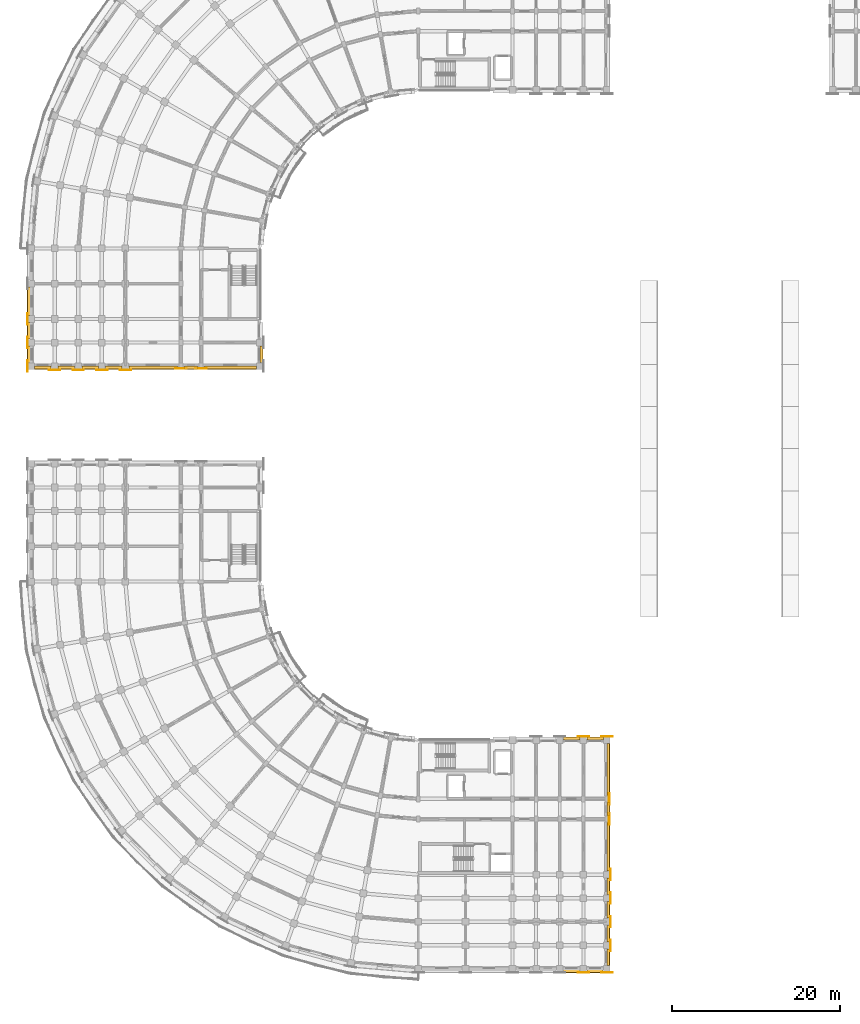
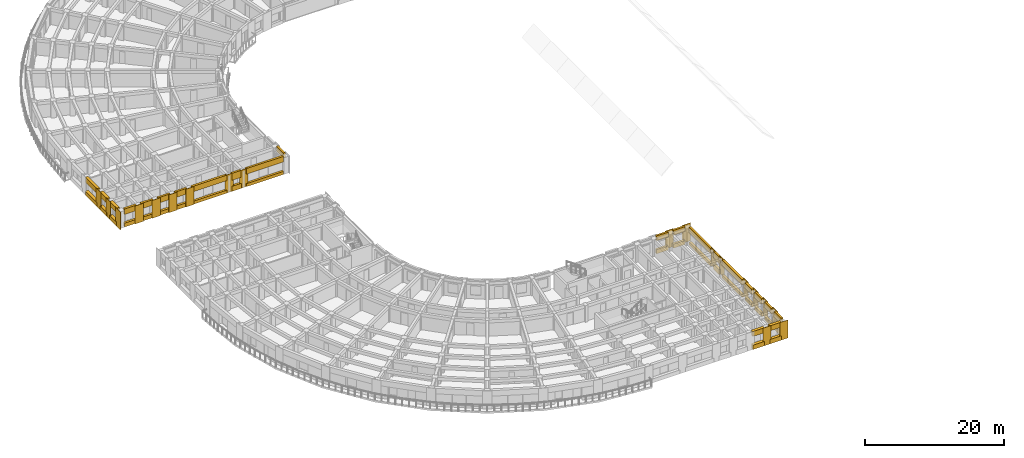
# One storey, part 43 of 54: 62 coverings.
"""IFC4 building model written with IfcOpenShell, lengths in metres."""

import ifcopenshell
import ifcopenshell.guid

model = None  # the IFC model being written
_history = None  # IfcOwnerHistory: only IFC2X3 demands one
_inside = {}  # id of a spatial element -> (the spatial element, [elements in it])
_under = {}  # id of a project, library or spatial element -> (it, [spatial elements below it])
_declared = {}  # id of a project -> (the project, [libraries it declares])
_typed = {}  # id of a type object -> (the type object, [elements of that type])
_made_of = {}  # id of a material, layer set ... -> (it, [elements and type objects made of it])


def new_model(schema):
    """Start an empty IFC model of exactly this schema.

    Asked for "IFC4X3", IfcOpenShell would pick the latest addendum, in which some entities
    have other attributes; the version numbers below select the first issue.
    IFC2X3 requires an IfcOwnerHistory on every rooted entity: one is made here for all.
    """
    global model, _history
    if schema == "IFC4X3":
        model = ifcopenshell.file(schema_version=(4, 3, 0, 0))
    else:
        model = ifcopenshell.file(schema=schema)
    _inside.clear()
    _under.clear()
    _declared.clear()
    _typed.clear()
    _made_of.clear()
    _history = None
    if model.schema == "IFC2X3":
        org = make("IfcOrganization", Name="unknown")
        user = make(
            "IfcPersonAndOrganization",
            ThePerson=make("IfcPerson", FamilyName="unknown"),
            TheOrganization=org,
        )
        app = make(
            "IfcApplication",
            ApplicationDeveloper=org,
            Version="unknown",
            ApplicationFullName="unknown",
            ApplicationIdentifier="unknown",
        )
        _history = make(
            "IfcOwnerHistory",
            OwningUser=user,
            OwningApplication=app,
            ChangeAction="ADDED",
            CreationDate=0,
        )
    return model


def make(cls, **values):
    """One entity of the class cls with the attributes given. An attribute that is None is left unset."""
    return model.create_entity(
        cls, **{name: value for name, value in values.items() if value is not None}
    )


def rooted(cls, **values):
    """An entity with a GlobalId (a new one), such as an element, a storey or a relation."""
    return make(cls, GlobalId=ifcopenshell.guid.new(), OwnerHistory=_history, **values)


def si_unit(unit_type, name, prefix=None):
    """IfcSIUnit, for example si_unit("LENGTHUNIT", "METRE", prefix="MILLI")."""
    return make("IfcSIUnit", UnitType=unit_type, Prefix=prefix, Name=name)


def assignment(units):
    """IfcUnitAssignment: the units of a project."""
    return None if units is None else make("IfcUnitAssignment", Units=units)


def point(xyz):
    """IfcCartesianPoint."""
    return None if xyz is None else make("IfcCartesianPoint", Coordinates=xyz)


def direction(xyz):
    """IfcDirection."""
    return None if xyz is None else make("IfcDirection", DirectionRatios=xyz)


def frame(location, z_axis=None, x_axis=None):
    """IfcAxis2Placement3D, a coordinate frame: its origin and axes. An axis left out is left unset."""
    return make(
        "IfcAxis2Placement3D",
        Location=point(location),
        Axis=direction(z_axis),
        RefDirection=direction(x_axis),
    )


def origin():
    """The frame at (0, 0, 0) with its axes left unset."""
    return frame((0.0, 0.0, 0.0))


def place(relative_to, where):
    """IfcLocalPlacement: puts the frame where relative to a parent placement (None: the world)."""
    return make(
        "IfcLocalPlacement", PlacementRelTo=relative_to, RelativePlacement=where
    )


def context(
    kind, dimensions, precision=None, world=None, true_north=None, identifier=None
):
    """IfcGeometricRepresentationContext, for example the 3D "Model" context."""
    return make(
        "IfcGeometricRepresentationContext",
        ContextIdentifier=identifier,
        ContextType=kind,
        CoordinateSpaceDimension=dimensions,
        Precision=precision,
        WorldCoordinateSystem=world,
        TrueNorth=true_north,
    )


def subcontext(parent, identifier, kind, view, scale=None):
    """IfcGeometricRepresentationSubContext, for example "Body" below "Model"."""
    return make(
        "IfcGeometricRepresentationSubContext",
        ContextIdentifier=identifier,
        ContextType=kind,
        ParentContext=parent,
        TargetScale=scale,
        TargetView=view,
    )


def project(units=None, contexts=None):
    """IfcProject with its units and contexts."""
    return rooted(
        "IfcProject",
        Name="project",
        RepresentationContexts=contexts,
        UnitsInContext=assignment(units),
    )


def spatial(cls, under=None, at=None, **own):
    """A site, building, storey or space (cls), placed at a placement, below another one or the project."""
    s = rooted(cls, ObjectPlacement=at, **own)
    if under is not None:
        _under.setdefault(under.id(), (under, []))[1].append(s)
    return s


def polyline(points):
    """IfcPolyline through the points."""
    return make("IfcPolyline", Points=[point(p) for p in points])


def outline(outer, holes=None, kind="AREA"):
    """IfcArbitraryClosedProfileDef: a profile drawn as a closed curve; with holes, ...WithVoids."""
    if holes is None:
        return make("IfcArbitraryClosedProfileDef", ProfileType=kind, OuterCurve=outer)
    return make(
        "IfcArbitraryProfileDefWithVoids",
        ProfileType=kind,
        OuterCurve=outer,
        InnerCurves=holes,
    )


def extrude(swept, where, along, depth):
    """IfcExtrudedAreaSolid: the profile swept, set in the frame where, extruded along a direction by depth."""
    return make(
        "IfcExtrudedAreaSolid",
        SweptArea=swept,
        Position=where,
        ExtrudedDirection=direction(along),
        Depth=depth,
    )


def shape(context_of_items, identifier, shape_type, items):
    """IfcShapeRepresentation: the items that make up one representation, for example the "Body"."""
    return make(
        "IfcShapeRepresentation",
        ContextOfItems=context_of_items,
        RepresentationIdentifier=identifier,
        RepresentationType=shape_type,
        Items=items,
    )


def material(Name=None, Category=None):
    """IfcMaterial."""
    return make("IfcMaterial", Name=Name, Category=Category)


def layer(
    of_material, thickness, ventilated=None, Name=None, Category=None, Priority=None
):
    """IfcMaterialLayer: one layer of a wall or slab, of a material (None: an air gap)."""
    return make(
        "IfcMaterialLayer",
        Material=of_material,
        LayerThickness=thickness,
        IsVentilated=ventilated,
        Name=Name,
        Category=Category,
        Priority=Priority,
    )


def layer_set(layers, Name=None):
    """IfcMaterialLayerSet."""
    return make("IfcMaterialLayerSet", MaterialLayers=layers, LayerSetName=Name)


def made_of(thing, what):
    """Note that an element or type object is made of a material, layer set ...; save() writes the relation."""
    if what is not None:
        _made_of.setdefault(what.id(), (what, []))[1].append(thing)
    return thing


def type_object(cls, material=None, **own):
    """A type object (cls), such as IfcWallType, which elements share."""
    return made_of(rooted(cls, **own), material)


def element(
    cls,
    number,
    at=None,
    inside=None,
    cuts=None,
    type_object=None,
    material=None,
    context=None,
    identifier="Body",
    shape_type=None,
    held_by="IfcProductDefinitionShape",
    body=None,
    shapes=None,
    **own,
):
    """One element of the class cls, such as IfcWall. Its Tag is "e" and its number.

    at: its placement. inside: the storey or other place that contains it. cuts: it is an
    opening in that element (IfcRelVoidsElement). A single representation is given by context,
    identifier, shape_type and body (its items); several are given by shapes. held_by: the class
    of the entity that holds the representations. save() writes the other relations.
    """
    e = rooted(cls, Tag="e%d" % number, ObjectPlacement=at, **own)
    if body is not None:
        shapes = [shape(context, identifier, shape_type, body)]
    if shapes is not None:
        e.Representation = make(held_by, Representations=shapes)
    if inside is not None:
        _inside.setdefault(inside.id(), (inside, []))[1].append(e)
    if cuts is not None:
        rooted(
            "IfcRelVoidsElement", RelatingBuildingElement=cuts, RelatedOpeningElement=e
        )
    if type_object is not None:
        _typed.setdefault(type_object.id(), (type_object, []))[1].append(e)
    return made_of(e, material)


def aggregate(whole, parts):
    """IfcRelAggregates: a whole, such as a stair, and the parts it consists of."""
    return rooted("IfcRelAggregates", RelatingObject=whole, RelatedObjects=parts)


def save(model, path):
    """Write the relations noted so far, then the file.

    IfcRelAggregates (storeys below a building ...), IfcRelContainedInSpatialStructure (elements
    in a storey), IfcRelDefinesByType, IfcRelAssociatesMaterial and IfcRelDeclares: one each for
    every whole, place, type object, material and project.
    """
    for whole, parts in _under.values():
        aggregate(whole, parts)
    for where, things in _inside.values():
        rooted(
            "IfcRelContainedInSpatialStructure",
            RelatedElements=things,
            RelatingStructure=where,
        )
    for kind, things in _typed.values():
        rooted("IfcRelDefinesByType", RelatedObjects=things, RelatingType=kind)
    for what, things in _made_of.values():
        rooted("IfcRelAssociatesMaterial", RelatedObjects=things, RelatingMaterial=what)
    for by, libraries in _declared.values():
        rooted("IfcRelDeclares", RelatingContext=by, RelatedDefinitions=libraries)
    model.write(path)


model = new_model("IFC4")

# Units and contexts
model_context = context("Model", 3, precision=1e-05, world=origin(), true_north=direction((0.0, 1.0)))
body_context = subcontext(model_context, "Body", "Model", "MODEL_VIEW")
ifc_project = project(units=[si_unit("LENGTHUNIT", "METRE"), si_unit("AREAUNIT", "SQUARE_METRE"), si_unit("VOLUMEUNIT", "CUBIC_METRE"), si_unit("PLANEANGLEUNIT", "RADIAN"), si_unit("MASSUNIT", "GRAM", prefix="KILO")], contexts=[model_context])

# Site, building, storey
site_placement = place(None, origin())
site = spatial("IfcSite", under=ifc_project, at=site_placement, CompositionType="ELEMENT")
building_placement = place(site_placement, origin())
building = spatial("IfcBuilding", under=site, at=building_placement, Name="Kiranvali Square Residences", CompositionType="ELEMENT")
storey_placement = place(building_placement, frame((0.0, 0.0, 11.85009765625)))
storey = spatial("IfcBuildingStorey", under=building, at=storey_placement, Name="L03", CompositionType="ELEMENT", Elevation=11.85009765625)

# Coverings
ifc_material = material(Name="Honed Porbandar limestone ashlar facade cladding", Category="masonry")
ifc_layer_1 = layer(ifc_material, 0.06494140625)
ifc_layer_set_1 = layer_set([ifc_layer_1], Name="Honed Porbandar limestone ashlar facade cladding")
covering_type_1 = type_object("IfcCoveringType", Name="COV-CLAD-PIER", PredefinedType="CLADDING", material=ifc_layer_set_1)
covering_1_placement = place(storey_placement, frame((0.0, 0.0, 0.0048828125)))
element("IfcCovering", 1, at=covering_1_placement, inside=storey, type_object=covering_type_1, Name="L03 Classical limestone pilaster casing CLAD-PR-A-L03-V84", PredefinedType="CLADDING", context=body_context, shape_type="SweptSolid", body=[
    extrude(outline(polyline([(1.73193359375, 80.080078125), (1.73193359375, 78.719970703125), (1.799560546875, 78.719970703125), (1.799560546875, 80.080078125), (1.73193359375, 80.080078125)])), origin(), (0.0, 0.0, 1.0), 3.14013671875),
])
covering_2_placement = place(storey_placement, frame((0.0, 0.0, 0.0048828125)))
element("IfcCovering", 2, at=covering_2_placement, inside=storey, type_object=covering_type_1, Name="L03 Classical limestone pilaster casing CLAD-PR-A-L03-V112", PredefinedType="CLADDING", context=body_context, shape_type="SweptSolid", body=[
    extrude(outline(polyline([(1.73193359375, 77.280029296875), (1.73193359375, 75.919921875), (1.799560546875, 75.919921875), (1.799560546875, 77.280029296875), (1.73193359375, 77.280029296875)])), origin(), (0.0, 0.0, 1.0), 3.14013671875),
])
covering_3_placement = place(storey_placement, frame((0.0, 0.0, 0.0048828125)))
element("IfcCovering", 3, at=covering_3_placement, inside=storey, type_object=covering_type_1, Name="L03 Classical limestone pilaster casing CLAD-PR-A-L03-V140", PredefinedType="CLADDING", context=body_context, shape_type="SweptSolid", body=[
    extrude(outline(polyline([(1.73193359375, 74.47998046875), (1.73193359375, 73.1201171875), (1.799560546875, 73.1201171875), (1.799560546875, 74.47998046875), (1.73193359375, 74.47998046875)])), origin(), (0.0, 0.0, 1.0), 3.14013671875),
])
covering_4_placement = place(storey_placement, frame((0.0, 0.0, 0.0048828125)))
element("IfcCovering", 4, at=covering_4_placement, inside=storey, type_object=covering_type_1, Name="L03 Classical limestone pilaster casing CLAD-PR-C-L03-U195", PredefinedType="CLADDING", context=body_context, shape_type="SweptSolid", body=[
    extrude(outline(polyline([(67.1201171875, 1.73193359375), (68.47998046875, 1.73193359375), (68.47998046875, 1.799560546875), (67.1201171875, 1.799560546875), (67.1201171875, 1.73193359375)])), origin(), (0.0, 0.0, 1.0), 3.14013671875),
])
covering_5_placement = place(storey_placement, frame((0.0, 0.0, 0.0048828125)))
element("IfcCovering", 5, at=covering_5_placement, inside=storey, type_object=covering_type_1, Name="L03 Classical limestone pilaster casing CLAD-PR-C-L03-U224", PredefinedType="CLADDING", context=body_context, shape_type="SweptSolid", body=[
    extrude(outline(polyline([(69.919921875, 1.73193359375), (71.280029296875, 1.73193359375), (71.280029296875, 1.799560546875), (69.919921875, 1.799560546875), (69.919921875, 1.73193359375)])), origin(), (0.0, 0.0, 1.0), 3.14013671875),
])
ifc_layer_2 = layer(ifc_material, 0.050048828125)
ifc_layer_set_2 = layer_set([ifc_layer_2], Name="Honed Porbandar limestone ashlar facade cladding")
covering_type_2 = type_object("IfcCoveringType", Name="COV-CLAD-PIER-IN", PredefinedType="CLADDING", material=ifc_layer_set_2)
covering_6_placement = place(storey_placement, frame((0.0, 0.0, 0.0048828125)))
element("IfcCovering", 6, at=covering_6_placement, inside=storey, type_object=covering_type_2, Name="L03 Classical limestone pilaster casing CLAD-PRA1I-C-L03-U195", PredefinedType="CLADDING", context=body_context, shape_type="SweptSolid", body=[
    extrude(outline(polyline([(67.1201171875, 29.800537109375), (68.47998046875, 29.800537109375), (68.47998046875, 29.867919921875), (67.1201171875, 29.867919921875), (67.1201171875, 29.800537109375)])), origin(), (0.0, 0.0, 1.0), 3.14013671875),
])
covering_7_placement = place(storey_placement, frame((0.0, 0.0, 0.0048828125)))
element("IfcCovering", 7, at=covering_7_placement, inside=storey, type_object=covering_type_2, Name="L03 Classical limestone pilaster casing CLAD-PRA1I-C-L03-U224", PredefinedType="CLADDING", context=body_context, shape_type="SweptSolid", body=[
    extrude(outline(polyline([(69.919921875, 29.800537109375), (71.280029296875, 29.800537109375), (71.280029296875, 29.867919921875), (69.919921875, 29.867919921875), (69.919921875, 29.800537109375)])), origin(), (0.0, 0.0, 1.0), 3.14013671875),
])
ifc_layer_3 = layer(ifc_material, 0.054931640625)
ifc_layer_set_3 = layer_set([ifc_layer_3], Name="Honed Porbandar limestone ashlar facade cladding")
covering_type_3 = type_object("IfcCoveringType", Name="COV-CLAD-PIER-UP", PredefinedType="CLADDING", material=ifc_layer_set_3)
covering_8_placement = place(storey_placement, frame((0.0, 0.0, 0.0048828125)))
element("IfcCovering", 8, at=covering_8_placement, inside=storey, type_object=covering_type_3, Name="L03 Classical limestone pilaster casing CLAD-PRA2E-A-L03-R258", PredefinedType="CLADDING", context=body_context, shape_type="SweptSolid", body=[
    extrude(outline(polyline([(23.080078125, 73.549560546875), (21.719970703125, 73.549560546875), (21.719970703125, 73.48193359375), (23.080078125, 73.48193359375), (23.080078125, 73.549560546875)])), origin(), (0.0, 0.0, 1.0), 3.14013671875),
])
covering_9_placement = place(storey_placement, frame((0.0, 0.0, 0.0048828125)))
element("IfcCovering", 9, at=covering_9_placement, inside=storey, type_object=covering_type_3, Name="L03 Classical limestone pilaster casing CLAD-PRA2E-A-L03-R282", PredefinedType="CLADDING", context=body_context, shape_type="SweptSolid", body=[
    extrude(outline(polyline([(20.679931640625, 73.549560546875), (19.320068359375, 73.549560546875), (19.320068359375, 73.48193359375), (20.679931640625, 73.48193359375), (20.679931640625, 73.549560546875)])), origin(), (0.0, 0.0, 1.0), 3.14013671875),
])
covering_10_placement = place(storey_placement, frame((0.0, 0.0, 0.0048828125)))
element("IfcCovering", 10, at=covering_10_placement, inside=storey, type_object=covering_type_3, Name="L03 Classical limestone pilaster casing CLAD-PRA2E-A-L03-R348", PredefinedType="CLADDING", context=body_context, shape_type="SweptSolid", body=[
    extrude(outline(polyline([(14.080078125, 73.3994140625), (12.719970703125, 73.3994140625), (12.719970703125, 73.33203125), (14.080078125, 73.33203125), (14.080078125, 73.3994140625)])), origin(), (0.0, 0.0, 1.0), 3.14013671875),
])
covering_11_placement = place(storey_placement, frame((0.0, 0.0, 0.0048828125)))
element("IfcCovering", 11, at=covering_11_placement, inside=storey, type_object=covering_type_3, Name="L03 Classical limestone pilaster casing CLAD-PRA2E-A-L03-R376", PredefinedType="CLADDING", context=body_context, shape_type="SweptSolid", body=[
    extrude(outline(polyline([(11.280029296875, 73.3994140625), (9.919921875, 73.3994140625), (9.919921875, 73.33203125), (11.280029296875, 73.33203125), (11.280029296875, 73.3994140625)])), origin(), (0.0, 0.0, 1.0), 3.14013671875),
])
covering_12_placement = place(storey_placement, frame((0.0, 0.0, 0.0048828125)))
element("IfcCovering", 12, at=covering_12_placement, inside=storey, type_object=covering_type_3, Name="L03 Classical limestone pilaster casing CLAD-PRA2E-A-L03-R404", PredefinedType="CLADDING", context=body_context, shape_type="SweptSolid", body=[
    extrude(outline(polyline([(8.47998046875, 73.3994140625), (7.1201171875, 73.3994140625), (7.1201171875, 73.33203125), (8.47998046875, 73.33203125), (8.47998046875, 73.3994140625)])), origin(), (0.0, 0.0, 1.0), 3.14013671875),
])
covering_13_placement = place(storey_placement, frame((0.0, 0.0, 0.0048828125)))
element("IfcCovering", 13, at=covering_13_placement, inside=storey, type_object=covering_type_3, Name="L03 Classical limestone pilaster casing CLAD-PRA2E-A-L03-R432", PredefinedType="CLADDING", context=body_context, shape_type="SweptSolid", body=[
    extrude(outline(polyline([(5.679931640625, 73.3994140625), (4.320068359375, 73.3994140625), (4.320068359375, 73.33203125), (5.679931640625, 73.33203125), (5.679931640625, 73.3994140625)])), origin(), (0.0, 0.0, 1.0), 3.14013671875),
])
covering_14_placement = place(storey_placement, frame((0.0, 0.0, 0.0048828125)))
element("IfcCovering", 14, at=covering_14_placement, inside=storey, type_object=covering_type_3, Name="L03 Classical limestone pilaster casing CLAD-PRA1E-C-L03-R258", PredefinedType="CLADDING", context=body_context, shape_type="SweptSolid", body=[
    extrude(outline(polyline([(70.8505859375, 23.080078125), (70.8505859375, 21.719970703125), (70.91796875, 21.719970703125), (70.91796875, 23.080078125), (70.8505859375, 23.080078125)])), origin(), (0.0, 0.0, 1.0), 3.14013671875),
])
covering_15_placement = place(storey_placement, frame((0.0, 0.0, 0.0048828125)))
element("IfcCovering", 15, at=covering_15_placement, inside=storey, type_object=covering_type_3, Name="L03 Classical limestone pilaster casing CLAD-PRA1E-C-L03-R282", PredefinedType="CLADDING", context=body_context, shape_type="SweptSolid", body=[
    extrude(outline(polyline([(70.8505859375, 20.679931640625), (70.8505859375, 19.320068359375), (70.91796875, 19.320068359375), (70.91796875, 20.679931640625), (70.8505859375, 20.679931640625)])), origin(), (0.0, 0.0, 1.0), 3.14013671875),
])
covering_16_placement = place(storey_placement, frame((0.0, 0.0, 0.0048828125)))
element("IfcCovering", 16, at=covering_16_placement, inside=storey, type_object=covering_type_3, Name="L03 Classical limestone pilaster casing CLAD-PRA1E-C-L03-R348", PredefinedType="CLADDING", context=body_context, shape_type="SweptSolid", body=[
    extrude(outline(polyline([(71.00048828125, 14.080078125), (71.00048828125, 12.719970703125), (71.068115234375, 12.719970703125), (71.068115234375, 14.080078125), (71.00048828125, 14.080078125)])), origin(), (0.0, 0.0, 1.0), 3.14013671875),
])
covering_17_placement = place(storey_placement, frame((0.0, 0.0, 0.0048828125)))
element("IfcCovering", 17, at=covering_17_placement, inside=storey, type_object=covering_type_3, Name="L03 Classical limestone pilaster casing CLAD-PRA1E-C-L03-R376", PredefinedType="CLADDING", context=body_context, shape_type="SweptSolid", body=[
    extrude(outline(polyline([(71.00048828125, 11.280029296875), (71.00048828125, 9.919921875), (71.068115234375, 9.919921875), (71.068115234375, 11.280029296875), (71.00048828125, 11.280029296875)])), origin(), (0.0, 0.0, 1.0), 3.14013671875),
])
covering_18_placement = place(storey_placement, frame((0.0, 0.0, 0.0048828125)))
element("IfcCovering", 18, at=covering_18_placement, inside=storey, type_object=covering_type_3, Name="L03 Classical limestone pilaster casing CLAD-PRA1E-C-L03-R404", PredefinedType="CLADDING", context=body_context, shape_type="SweptSolid", body=[
    extrude(outline(polyline([(71.00048828125, 8.47998046875), (71.00048828125, 7.1201171875), (71.068115234375, 7.1201171875), (71.068115234375, 8.47998046875), (71.00048828125, 8.47998046875)])), origin(), (0.0, 0.0, 1.0), 3.14013671875),
])
covering_19_placement = place(storey_placement, frame((0.0, 0.0, 0.0048828125)))
element("IfcCovering", 19, at=covering_19_placement, inside=storey, type_object=covering_type_3, Name="L03 Classical limestone pilaster casing CLAD-PRA1E-C-L03-R432", PredefinedType="CLADDING", context=body_context, shape_type="SweptSolid", body=[
    extrude(outline(polyline([(71.00048828125, 5.679931640625), (71.00048828125, 4.320068359375), (71.068115234375, 4.320068359375), (71.068115234375, 5.679931640625), (71.00048828125, 5.679931640625)])), origin(), (0.0, 0.0, 1.0), 3.14013671875),
])
ifc_layer_4 = layer(ifc_material, 0.360107421875)
ifc_layer_set_4 = layer_set([ifc_layer_4], Name="Honed Porbandar limestone ashlar facade cladding")
covering_type_4 = type_object("IfcCoveringType", Name="COV-CLAD-WALL", PredefinedType="CLADDING", material=ifc_layer_set_4)
covering_20_placement = place(storey_placement, frame((0.0, 0.0, 2.27197265625)))
element("IfcCovering", 20, at=covering_20_placement, inside=storey, type_object=covering_type_4, Name="L03 light limestone spandrel lintel A-L03-A2O-1", PredefinedType="CLADDING", context=body_context, shape_type="SweptSolid", body=[
    extrude(outline(polyline([(1.75, 83.179931640625), (1.75, 79.820068359375), (2.199462890625, 79.820068359375), (2.199462890625, 83.179931640625), (1.75, 83.179931640625)])), origin(), (0.0, 0.0, 1.0), 0.873046875),
])
covering_21_placement = place(storey_placement, frame((0.0, 0.0, 0.0048828125)))
element("IfcCovering", 21, at=covering_21_placement, inside=storey, type_object=covering_type_4, Name="L03 limestone window sill apron A-L03-A2O-1", PredefinedType="CLADDING", context=body_context, shape_type="SweptSolid", body=[
    extrude(outline(polyline([(1.719970703125, 83.179931640625), (1.719970703125, 79.820068359375), (2.199462890625, 79.820068359375), (2.199462890625, 83.179931640625), (1.719970703125, 83.179931640625)])), origin(), (0.0, 0.0, 1.0), 0.717041015625),
])
covering_22_placement = place(storey_placement, frame((0.0, 0.0, 2.27197265625)))
element("IfcCovering", 22, at=covering_22_placement, inside=storey, type_object=covering_type_4, Name="L03 light limestone spandrel lintel A-L03-A2O-2", PredefinedType="CLADDING", context=body_context, shape_type="SweptSolid", body=[
    extrude(outline(polyline([(1.75, 78.97998046875), (1.75, 77.02001953125), (2.199462890625, 77.02001953125), (2.199462890625, 78.97998046875), (1.75, 78.97998046875)])), origin(), (0.0, 0.0, 1.0), 0.873046875),
])
covering_23_placement = place(storey_placement, frame((0.0, 0.0, 0.0048828125)))
element("IfcCovering", 23, at=covering_23_placement, inside=storey, type_object=covering_type_4, Name="L03 limestone window sill apron A-L03-A2O-2", PredefinedType="CLADDING", context=body_context, shape_type="SweptSolid", body=[
    extrude(outline(polyline([(1.719970703125, 78.97998046875), (1.719970703125, 77.02001953125), (2.199462890625, 77.02001953125), (2.199462890625, 78.97998046875), (1.719970703125, 78.97998046875)])), origin(), (0.0, 0.0, 1.0), 0.717041015625),
])
covering_24_placement = place(storey_placement, frame((0.0, 0.0, 2.27197265625)))
element("IfcCovering", 24, at=covering_24_placement, inside=storey, type_object=covering_type_4, Name="L03 light limestone spandrel lintel A-L03-A2O-3", PredefinedType="CLADDING", context=body_context, shape_type="SweptSolid", body=[
    extrude(outline(polyline([(1.75, 76.179931640625), (1.75, 74.219970703125), (2.199462890625, 74.219970703125), (2.199462890625, 76.179931640625), (1.75, 76.179931640625)])), origin(), (0.0, 0.0, 1.0), 0.873046875),
])
covering_25_placement = place(storey_placement, frame((0.0, 0.0, 0.0048828125)))
element("IfcCovering", 25, at=covering_25_placement, inside=storey, type_object=covering_type_4, Name="L03 limestone window sill apron A-L03-A2O-3", PredefinedType="CLADDING", context=body_context, shape_type="SweptSolid", body=[
    extrude(outline(polyline([(1.719970703125, 76.179931640625), (1.719970703125, 74.219970703125), (2.199462890625, 74.219970703125), (2.199462890625, 76.179931640625), (1.719970703125, 76.179931640625)])), origin(), (0.0, 0.0, 1.0), 0.717041015625),
])
covering_26_placement = place(storey_placement, frame((0.0, 0.0, 2.27197265625)))
element("IfcCovering", 26, at=covering_26_placement, inside=storey, type_object=covering_type_4, Name="L03 light limestone spandrel lintel A-L03-A2I-1", PredefinedType="CLADDING", context=body_context, shape_type="SweptSolid", body=[
    extrude(outline(polyline([(29.400390625, 76.179931640625), (29.400390625, 74.219970703125), (29.719970703125, 74.219970703125), (29.719970703125, 76.179931640625), (29.400390625, 76.179931640625)])), origin(), (0.0, 0.0, 1.0), 0.873046875),
])
covering_27_placement = place(storey_placement, frame((0.0, 0.0, 2.171875)))
element("IfcCovering", 27, at=covering_27_placement, inside=storey, type_object=covering_type_4, Name="L03 light limestone spandrel lintel A-L03-A2END-0", PredefinedType="CLADDING", context=body_context, shape_type="SweptSolid", body=[
    extrude(outline(polyline([(28.97998046875, 73.799560546875), (22.820068359375, 73.799560546875), (22.820068359375, 73.4599609375), (28.97998046875, 73.4599609375), (28.97998046875, 73.799560546875)])), origin(), (0.0, 0.0, 1.0), 0.97314453125),
])
covering_28_placement = place(storey_placement, frame((0.0, 0.0, 0.0048828125)))
element("IfcCovering", 28, at=covering_28_placement, inside=storey, type_object=covering_type_4, Name="L03 limestone window sill apron A-L03-A2END-0", PredefinedType="CLADDING", context=body_context, shape_type="SweptSolid", body=[
    extrude(outline(polyline([(28.97998046875, 73.799560546875), (22.820068359375, 73.799560546875), (22.820068359375, 73.429931640625), (28.97998046875, 73.429931640625), (28.97998046875, 73.799560546875)])), origin(), (0.0, 0.0, 1.0), 0.51708984375),
])
covering_29_placement = place(storey_placement, frame((0.0, 0.0, 1.929931640625)))
element("IfcCovering", 29, at=covering_29_placement, inside=storey, type_object=covering_type_4, Name="L03 light limestone spandrel lintel A-L03-A2END-1", PredefinedType="CLADDING", context=body_context, shape_type="SweptSolid", body=[
    extrude(outline(polyline([(21.97998046875, 73.799560546875), (20.419921875, 73.799560546875), (20.419921875, 73.4599609375), (21.97998046875, 73.4599609375), (21.97998046875, 73.799560546875)])), origin(), (0.0, 0.0, 1.0), 1.215087890625),
])
covering_30_placement = place(storey_placement, frame((0.0, 0.0, 0.0048828125)))
element("IfcCovering", 30, at=covering_30_placement, inside=storey, type_object=covering_type_4, Name="L03 limestone window sill apron A-L03-A2END-1", PredefinedType="CLADDING", context=body_context, shape_type="SweptSolid", body=[
    extrude(outline(polyline([(21.97998046875, 73.799560546875), (20.419921875, 73.799560546875), (20.419921875, 73.429931640625), (21.97998046875, 73.429931640625), (21.97998046875, 73.799560546875)])), origin(), (0.0, 0.0, 1.0), 0.875),
])
covering_31_placement = place(storey_placement, frame((0.0, 0.0, 2.171875)))
element("IfcCovering", 31, at=covering_31_placement, inside=storey, type_object=covering_type_4, Name="L03 light limestone spandrel lintel A-L03-A2END-2", PredefinedType="CLADDING", context=body_context, shape_type="SweptSolid", body=[
    extrude(outline(polyline([(19.580078125, 73.799560546875), (13.820068359375, 73.799560546875), (13.820068359375, 73.4599609375), (19.580078125, 73.4599609375), (19.580078125, 73.799560546875)])), origin(), (0.0, 0.0, 1.0), 0.97314453125),
])
covering_32_placement = place(storey_placement, frame((0.0, 0.0, 0.0048828125)))
element("IfcCovering", 32, at=covering_32_placement, inside=storey, type_object=covering_type_4, Name="L03 limestone window sill apron A-L03-A2END-2", PredefinedType="CLADDING", context=body_context, shape_type="SweptSolid", body=[
    extrude(outline(polyline([(19.580078125, 73.799560546875), (13.820068359375, 73.799560546875), (13.820068359375, 73.429931640625), (19.580078125, 73.429931640625), (19.580078125, 73.799560546875)])), origin(), (0.0, 0.0, 1.0), 0.51708984375),
])
covering_33_placement = place(storey_placement, frame((0.0, 0.0, 2.171875)))
element("IfcCovering", 33, at=covering_33_placement, inside=storey, type_object=covering_type_4, Name="L03 light limestone spandrel lintel A-L03-A2END-3", PredefinedType="CLADDING", context=body_context, shape_type="SweptSolid", body=[
    extrude(outline(polyline([(12.97998046875, 73.799560546875), (11.02001953125, 73.799560546875), (11.02001953125, 73.4599609375), (12.97998046875, 73.4599609375), (12.97998046875, 73.799560546875)])), origin(), (0.0, 0.0, 1.0), 0.97314453125),
])
covering_34_placement = place(storey_placement, frame((0.0, 0.0, 0.0048828125)))
element("IfcCovering", 34, at=covering_34_placement, inside=storey, type_object=covering_type_4, Name="L03 limestone window sill apron A-L03-A2END-3", PredefinedType="CLADDING", context=body_context, shape_type="SweptSolid", body=[
    extrude(outline(polyline([(12.97998046875, 73.799560546875), (11.02001953125, 73.799560546875), (11.02001953125, 73.429931640625), (12.97998046875, 73.429931640625), (12.97998046875, 73.799560546875)])), origin(), (0.0, 0.0, 1.0), 0.6669921875),
])
covering_35_placement = place(storey_placement, frame((0.0, 0.0, 2.171875)))
element("IfcCovering", 35, at=covering_35_placement, inside=storey, type_object=covering_type_4, Name="L03 light limestone spandrel lintel A-L03-A2END-4", PredefinedType="CLADDING", context=body_context, shape_type="SweptSolid", body=[
    extrude(outline(polyline([(10.179931640625, 73.799560546875), (8.219970703125, 73.799560546875), (8.219970703125, 73.4599609375), (10.179931640625, 73.4599609375), (10.179931640625, 73.799560546875)])), origin(), (0.0, 0.0, 1.0), 0.97314453125),
])
covering_36_placement = place(storey_placement, frame((0.0, 0.0, 0.0048828125)))
element("IfcCovering", 36, at=covering_36_placement, inside=storey, type_object=covering_type_4, Name="L03 limestone window sill apron A-L03-A2END-4", PredefinedType="CLADDING", context=body_context, shape_type="SweptSolid", body=[
    extrude(outline(polyline([(10.179931640625, 73.799560546875), (8.219970703125, 73.799560546875), (8.219970703125, 73.429931640625), (10.179931640625, 73.429931640625), (10.179931640625, 73.799560546875)])), origin(), (0.0, 0.0, 1.0), 0.6669921875),
])
covering_37_placement = place(storey_placement, frame((0.0, 0.0, 2.171875)))
element("IfcCovering", 37, at=covering_37_placement, inside=storey, type_object=covering_type_4, Name="L03 light limestone spandrel lintel A-L03-A2END-5", PredefinedType="CLADDING", context=body_context, shape_type="SweptSolid", body=[
    extrude(outline(polyline([(7.3798828125, 73.799560546875), (5.419921875, 73.799560546875), (5.419921875, 73.4599609375), (7.3798828125, 73.4599609375), (7.3798828125, 73.799560546875)])), origin(), (0.0, 0.0, 1.0), 0.97314453125),
])
covering_38_placement = place(storey_placement, frame((0.0, 0.0, 0.0048828125)))
element("IfcCovering", 38, at=covering_38_placement, inside=storey, type_object=covering_type_4, Name="L03 limestone window sill apron A-L03-A2END-5", PredefinedType="CLADDING", context=body_context, shape_type="SweptSolid", body=[
    extrude(outline(polyline([(7.3798828125, 73.799560546875), (5.419921875, 73.799560546875), (5.419921875, 73.429931640625), (7.3798828125, 73.429931640625), (7.3798828125, 73.799560546875)])), origin(), (0.0, 0.0, 1.0), 0.6669921875),
])
covering_39_placement = place(storey_placement, frame((0.0, 0.0, 2.171875)))
element("IfcCovering", 39, at=covering_39_placement, inside=storey, type_object=covering_type_4, Name="L03 light limestone spandrel lintel A-L03-A2END-6", PredefinedType="CLADDING", context=body_context, shape_type="SweptSolid", body=[
    extrude(outline(polyline([(4.580078125, 73.799560546875), (2.6201171875, 73.799560546875), (2.6201171875, 73.4599609375), (4.580078125, 73.4599609375), (4.580078125, 73.799560546875)])), origin(), (0.0, 0.0, 1.0), 0.97314453125),
])
covering_40_placement = place(storey_placement, frame((0.0, 0.0, 0.0048828125)))
element("IfcCovering", 40, at=covering_40_placement, inside=storey, type_object=covering_type_4, Name="L03 limestone window sill apron A-L03-A2END-6", PredefinedType="CLADDING", context=body_context, shape_type="SweptSolid", body=[
    extrude(outline(polyline([(4.580078125, 73.799560546875), (2.6201171875, 73.799560546875), (2.6201171875, 73.429931640625), (4.580078125, 73.429931640625), (4.580078125, 73.799560546875)])), origin(), (0.0, 0.0, 1.0), 0.6669921875),
])
covering_41_placement = place(storey_placement, frame((0.0, 0.0, 2.27197265625)))
element("IfcCovering", 41, at=covering_41_placement, inside=storey, type_object=covering_type_4, Name="L03 light limestone spandrel lintel C-L03-A1O-4", PredefinedType="CLADDING", context=body_context, shape_type="SweptSolid", body=[
    extrude(outline(polyline([(65.43994140625, 1.75), (67.360107421875, 1.75), (67.360107421875, 2.199462890625), (65.43994140625, 2.199462890625), (65.43994140625, 1.75)])), origin(), (0.0, 0.0, 1.0), 0.873046875),
])
covering_42_placement = place(storey_placement, frame((0.0, 0.0, 0.0048828125)))
element("IfcCovering", 42, at=covering_42_placement, inside=storey, type_object=covering_type_4, Name="L03 limestone window sill apron C-L03-A1O-4", PredefinedType="CLADDING", context=body_context, shape_type="SweptSolid", body=[
    extrude(outline(polyline([(65.43994140625, 1.719970703125), (67.360107421875, 1.719970703125), (67.360107421875, 2.199462890625), (65.43994140625, 2.199462890625), (65.43994140625, 1.719970703125)])), origin(), (0.0, 0.0, 1.0), 0.76708984375),
])
covering_43_placement = place(storey_placement, frame((0.0, 0.0, 2.27197265625)))
element("IfcCovering", 43, at=covering_43_placement, inside=storey, type_object=covering_type_4, Name="L03 light limestone spandrel lintel C-L03-A1O-5", PredefinedType="CLADDING", context=body_context, shape_type="SweptSolid", body=[
    extrude(outline(polyline([(68.239990234375, 1.75), (70.159912109375, 1.75), (70.159912109375, 2.199462890625), (68.239990234375, 2.199462890625), (68.239990234375, 1.75)])), origin(), (0.0, 0.0, 1.0), 0.873046875),
])
covering_44_placement = place(storey_placement, frame((0.0, 0.0, 0.0048828125)))
element("IfcCovering", 44, at=covering_44_placement, inside=storey, type_object=covering_type_4, Name="L03 limestone window sill apron C-L03-A1O-5", PredefinedType="CLADDING", context=body_context, shape_type="SweptSolid", body=[
    extrude(outline(polyline([(68.239990234375, 1.719970703125), (70.159912109375, 1.719970703125), (70.159912109375, 2.199462890625), (68.239990234375, 2.199462890625), (68.239990234375, 1.719970703125)])), origin(), (0.0, 0.0, 1.0), 0.76708984375),
])
covering_45_placement = place(storey_placement, frame((0.0, 0.0, 2.27197265625)))
element("IfcCovering", 45, at=covering_45_placement, inside=storey, type_object=covering_type_4, Name="L03 light limestone spandrel lintel C-L03-A1I-2", PredefinedType="CLADDING", context=body_context, shape_type="SweptSolid", body=[
    extrude(outline(polyline([(65.419921875, 29.400390625), (67.3798828125, 29.400390625), (67.3798828125, 29.719970703125), (65.419921875, 29.719970703125), (65.419921875, 29.400390625)])), origin(), (0.0, 0.0, 1.0), 0.873046875),
])
covering_46_placement = place(storey_placement, frame((0.0, 0.0, 0.0048828125)))
element("IfcCovering", 46, at=covering_46_placement, inside=storey, type_object=covering_type_4, Name="L03 limestone window sill apron C-L03-A1I-2", PredefinedType="CLADDING", context=body_context, shape_type="SweptSolid", body=[
    extrude(outline(polyline([(65.419921875, 29.400390625), (67.3798828125, 29.400390625), (67.3798828125, 29.75), (65.419921875, 29.75), (65.419921875, 29.400390625)])), origin(), (0.0, 0.0, 1.0), 0.717041015625),
])
covering_47_placement = place(storey_placement, frame((0.0, 0.0, 2.27197265625)))
element("IfcCovering", 47, at=covering_47_placement, inside=storey, type_object=covering_type_4, Name="L03 light limestone spandrel lintel C-L03-A1I-3", PredefinedType="CLADDING", context=body_context, shape_type="SweptSolid", body=[
    extrude(outline(polyline([(68.219970703125, 29.400390625), (70.179931640625, 29.400390625), (70.179931640625, 29.719970703125), (68.219970703125, 29.719970703125), (68.219970703125, 29.400390625)])), origin(), (0.0, 0.0, 1.0), 0.873046875),
])
covering_48_placement = place(storey_placement, frame((0.0, 0.0, 0.0048828125)))
element("IfcCovering", 48, at=covering_48_placement, inside=storey, type_object=covering_type_4, Name="L03 limestone window sill apron C-L03-A1I-3", PredefinedType="CLADDING", context=body_context, shape_type="SweptSolid", body=[
    extrude(outline(polyline([(68.219970703125, 29.400390625), (70.179931640625, 29.400390625), (70.179931640625, 29.75), (68.219970703125, 29.75), (68.219970703125, 29.400390625)])), origin(), (0.0, 0.0, 1.0), 0.717041015625),
])
covering_49_placement = place(storey_placement, frame((0.0, 0.0, 2.171875)))
element("IfcCovering", 49, at=covering_49_placement, inside=storey, type_object=covering_type_4, Name="L03 light limestone spandrel lintel C-L03-A1END-0", PredefinedType="CLADDING", context=body_context, shape_type="SweptSolid", body=[
    extrude(outline(polyline([(70.6005859375, 28.97998046875), (70.6005859375, 22.820068359375), (70.93994140625, 22.820068359375), (70.93994140625, 28.97998046875), (70.6005859375, 28.97998046875)])), origin(), (0.0, 0.0, 1.0), 0.97314453125),
])
covering_50_placement = place(storey_placement, frame((0.0, 0.0, 0.0048828125)))
element("IfcCovering", 50, at=covering_50_placement, inside=storey, type_object=covering_type_4, Name="L03 limestone window sill apron C-L03-A1END-0", PredefinedType="CLADDING", context=body_context, shape_type="SweptSolid", body=[
    extrude(outline(polyline([(70.6005859375, 28.97998046875), (70.6005859375, 22.820068359375), (70.969970703125, 22.820068359375), (70.969970703125, 28.97998046875), (70.6005859375, 28.97998046875)])), origin(), (0.0, 0.0, 1.0), 0.51708984375),
])
covering_51_placement = place(storey_placement, frame((0.0, 0.0, 1.929931640625)))
element("IfcCovering", 51, at=covering_51_placement, inside=storey, type_object=covering_type_4, Name="L03 light limestone spandrel lintel C-L03-A1END-1", PredefinedType="CLADDING", context=body_context, shape_type="SweptSolid", body=[
    extrude(outline(polyline([(70.6005859375, 21.97998046875), (70.6005859375, 20.419921875), (70.93994140625, 20.419921875), (70.93994140625, 21.97998046875), (70.6005859375, 21.97998046875)])), origin(), (0.0, 0.0, 1.0), 1.215087890625),
])
covering_52_placement = place(storey_placement, frame((0.0, 0.0, 0.0048828125)))
element("IfcCovering", 52, at=covering_52_placement, inside=storey, type_object=covering_type_4, Name="L03 limestone window sill apron C-L03-A1END-1", PredefinedType="CLADDING", context=body_context, shape_type="SweptSolid", body=[
    extrude(outline(polyline([(70.6005859375, 21.97998046875), (70.6005859375, 20.419921875), (70.969970703125, 20.419921875), (70.969970703125, 21.97998046875), (70.6005859375, 21.97998046875)])), origin(), (0.0, 0.0, 1.0), 0.875),
])
covering_53_placement = place(storey_placement, frame((0.0, 0.0, 2.171875)))
element("IfcCovering", 53, at=covering_53_placement, inside=storey, type_object=covering_type_4, Name="L03 light limestone spandrel lintel C-L03-A1END-2", PredefinedType="CLADDING", context=body_context, shape_type="SweptSolid", body=[
    extrude(outline(polyline([(70.6005859375, 19.580078125), (70.6005859375, 13.820068359375), (70.93994140625, 13.820068359375), (70.93994140625, 19.580078125), (70.6005859375, 19.580078125)])), origin(), (0.0, 0.0, 1.0), 0.97314453125),
])
covering_54_placement = place(storey_placement, frame((0.0, 0.0, 0.0048828125)))
element("IfcCovering", 54, at=covering_54_placement, inside=storey, type_object=covering_type_4, Name="L03 limestone window sill apron C-L03-A1END-2", PredefinedType="CLADDING", context=body_context, shape_type="SweptSolid", body=[
    extrude(outline(polyline([(70.6005859375, 19.580078125), (70.6005859375, 13.820068359375), (70.969970703125, 13.820068359375), (70.969970703125, 19.580078125), (70.6005859375, 19.580078125)])), origin(), (0.0, 0.0, 1.0), 0.51708984375),
])
covering_55_placement = place(storey_placement, frame((0.0, 0.0, 2.171875)))
element("IfcCovering", 55, at=covering_55_placement, inside=storey, type_object=covering_type_4, Name="L03 light limestone spandrel lintel C-L03-A1END-3", PredefinedType="CLADDING", context=body_context, shape_type="SweptSolid", body=[
    extrude(outline(polyline([(70.6005859375, 12.97998046875), (70.6005859375, 11.02001953125), (70.93994140625, 11.02001953125), (70.93994140625, 12.97998046875), (70.6005859375, 12.97998046875)])), origin(), (0.0, 0.0, 1.0), 0.97314453125),
])
covering_56_placement = place(storey_placement, frame((0.0, 0.0, 0.0048828125)))
element("IfcCovering", 56, at=covering_56_placement, inside=storey, type_object=covering_type_4, Name="L03 limestone window sill apron C-L03-A1END-3", PredefinedType="CLADDING", context=body_context, shape_type="SweptSolid", body=[
    extrude(outline(polyline([(70.6005859375, 12.97998046875), (70.6005859375, 11.02001953125), (70.969970703125, 11.02001953125), (70.969970703125, 12.97998046875), (70.6005859375, 12.97998046875)])), origin(), (0.0, 0.0, 1.0), 0.6669921875),
])
covering_57_placement = place(storey_placement, frame((0.0, 0.0, 2.171875)))
element("IfcCovering", 57, at=covering_57_placement, inside=storey, type_object=covering_type_4, Name="L03 light limestone spandrel lintel C-L03-A1END-4", PredefinedType="CLADDING", context=body_context, shape_type="SweptSolid", body=[
    extrude(outline(polyline([(70.6005859375, 10.179931640625), (70.6005859375, 8.219970703125), (70.93994140625, 8.219970703125), (70.93994140625, 10.179931640625), (70.6005859375, 10.179931640625)])), origin(), (0.0, 0.0, 1.0), 0.97314453125),
])
covering_58_placement = place(storey_placement, frame((0.0, 0.0, 0.0048828125)))
element("IfcCovering", 58, at=covering_58_placement, inside=storey, type_object=covering_type_4, Name="L03 limestone window sill apron C-L03-A1END-4", PredefinedType="CLADDING", context=body_context, shape_type="SweptSolid", body=[
    extrude(outline(polyline([(70.6005859375, 10.179931640625), (70.6005859375, 8.219970703125), (70.969970703125, 8.219970703125), (70.969970703125, 10.179931640625), (70.6005859375, 10.179931640625)])), origin(), (0.0, 0.0, 1.0), 0.6669921875),
])
covering_59_placement = place(storey_placement, frame((0.0, 0.0, 2.171875)))
element("IfcCovering", 59, at=covering_59_placement, inside=storey, type_object=covering_type_4, Name="L03 light limestone spandrel lintel C-L03-A1END-5", PredefinedType="CLADDING", context=body_context, shape_type="SweptSolid", body=[
    extrude(outline(polyline([(70.6005859375, 7.3798828125), (70.6005859375, 5.419921875), (70.93994140625, 5.419921875), (70.93994140625, 7.3798828125), (70.6005859375, 7.3798828125)])), origin(), (0.0, 0.0, 1.0), 0.97314453125),
])
covering_60_placement = place(storey_placement, frame((0.0, 0.0, 0.0048828125)))
element("IfcCovering", 60, at=covering_60_placement, inside=storey, type_object=covering_type_4, Name="L03 limestone window sill apron C-L03-A1END-5", PredefinedType="CLADDING", context=body_context, shape_type="SweptSolid", body=[
    extrude(outline(polyline([(70.6005859375, 7.3798828125), (70.6005859375, 5.419921875), (70.969970703125, 5.419921875), (70.969970703125, 7.3798828125), (70.6005859375, 7.3798828125)])), origin(), (0.0, 0.0, 1.0), 0.6669921875),
])
covering_61_placement = place(storey_placement, frame((0.0, 0.0, 2.171875)))
element("IfcCovering", 61, at=covering_61_placement, inside=storey, type_object=covering_type_4, Name="L03 light limestone spandrel lintel C-L03-A1END-6", PredefinedType="CLADDING", context=body_context, shape_type="SweptSolid", body=[
    extrude(outline(polyline([(70.6005859375, 4.580078125), (70.6005859375, 2.6201171875), (70.93994140625, 2.6201171875), (70.93994140625, 4.580078125), (70.6005859375, 4.580078125)])), origin(), (0.0, 0.0, 1.0), 0.97314453125),
])
covering_62_placement = place(storey_placement, frame((0.0, 0.0, 0.0048828125)))
element("IfcCovering", 62, at=covering_62_placement, inside=storey, type_object=covering_type_4, Name="L03 limestone window sill apron C-L03-A1END-6", PredefinedType="CLADDING", context=body_context, shape_type="SweptSolid", body=[
    extrude(outline(polyline([(70.6005859375, 4.580078125), (70.6005859375, 2.6201171875), (70.969970703125, 2.6201171875), (70.969970703125, 4.580078125), (70.6005859375, 4.580078125)])), origin(), (0.0, 0.0, 1.0), 0.6669921875),
])

save(model, "model.ifc")
